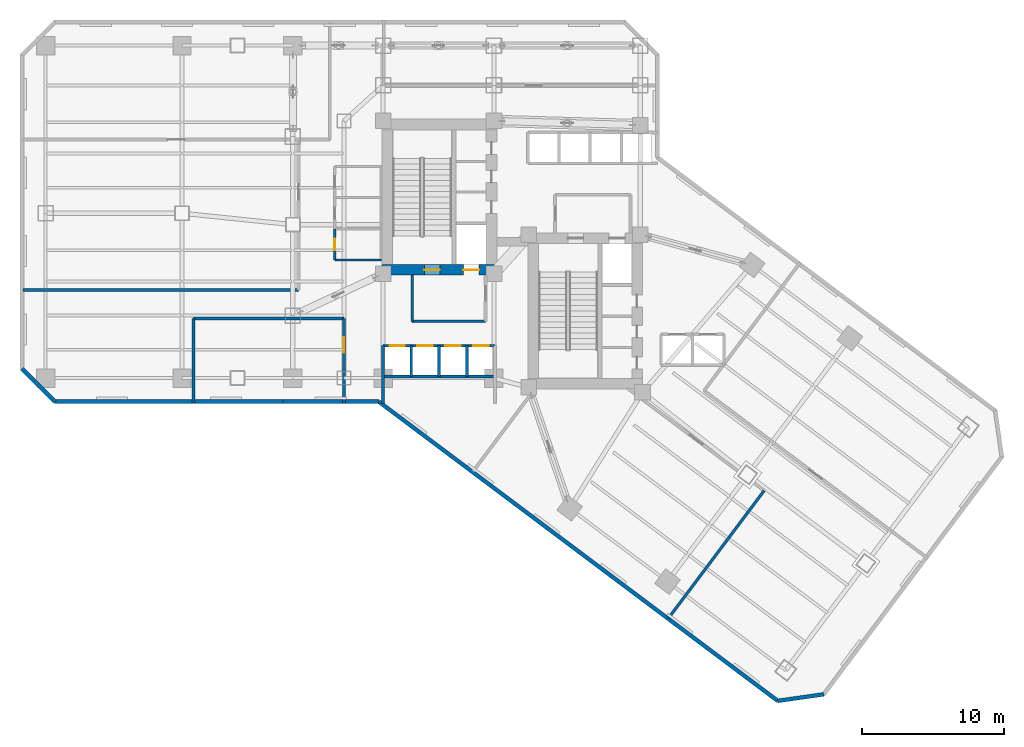
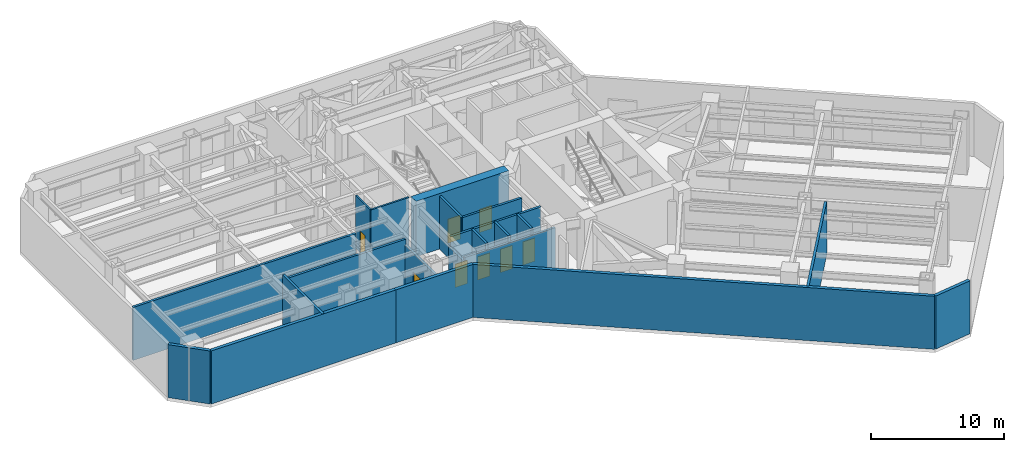
# One storey, part 9 of 16: 21 walls, 8 doors, 8 openings.
"""IFC4 building model written with IfcOpenShell, lengths in metres."""

from ifc_helpers import new_model, si_unit, direction, frame, frame_2d, origin, place, context, subcontext, project, spatial, rectangle, extrude, material, layer, layer_set, type_object, element, fill, save


model = new_model("IFC4")

# Units and contexts
model_context = context("Model", 3, precision=1e-05, world=origin(), true_north=direction((0.0, 1.0)))
body_context = subcontext(model_context, "Body", "Model", "MODEL_VIEW")
ifc_project = project(units=[si_unit("LENGTHUNIT", "METRE"), si_unit("AREAUNIT", "SQUARE_METRE"), si_unit("VOLUMEUNIT", "CUBIC_METRE"), si_unit("PLANEANGLEUNIT", "RADIAN"), si_unit("MASSUNIT", "GRAM", prefix="KILO")], contexts=[model_context])

# Site, building, storey
site_placement = place(None, origin())
site = spatial("IfcSite", under=ifc_project, at=site_placement, CompositionType="ELEMENT")
building_placement = place(site_placement, origin())
building = spatial("IfcBuilding", under=site, at=building_placement, Name="Hatsunagi Terrace Concourse", CompositionType="ELEMENT")
storey_placement = place(building_placement, frame((0.0, 0.0, 27.0)))
storey = spatial("IfcBuildingStorey", under=building, at=storey_placement, Name="L06", CompositionType="ELEMENT", Elevation=27.0)

# Wall, openings, doors
ifc_material_1 = material(Name="Concrete Fc60", Category="concrete")
ifc_layer_1 = layer(ifc_material_1, 0.75)
ifc_layer_set_1 = layer_set([ifc_layer_1], Name="CoreShearWall_Fc60_750")
wall_type_1 = type_object("IfcWallType", Name="CoreShearWall_Fc60_750", PredefinedType="SHEAR", material=ifc_layer_set_1)
wall_1_placement = place(storey_placement, frame((25.469970703125, 32.81494140625, 0.0), z_axis=(0.0, 0.0, 1.0), x_axis=(1.0, 0.0, 0.0)))
wall_1 = element("IfcWall", 1, at=wall_1_placement, inside=storey, type_object=wall_type_1, Name="Core A Shear Wall S L06", PredefinedType="SHEAR", context=body_context, shape_type="SweptSolid", body=[
    extrude(rectangle(XDim=8.080078125, YDim=0.75, at=frame_2d((4.0400390625, 0.0))), origin(), (0.0, 0.0, 1.0), 5.10009765625),
])
opening_1_placement = place(wall_1_placement, frame((2.97998046875, 0.0, 0.0)))
opening_1 = element("IfcOpeningElement", 2, at=opening_1_placement, cuts=wall_1, Name="Opening DR-110S", PredefinedType="OPENING", context=body_context, shape_type="SweptSolid", body=[
    extrude(rectangle(XDim=1.10009765625, YDim=2.199951171875, at=frame_2d((0.550048828125, 1.10009765625))), frame((0.0, 0.385009765625, 0.0), z_axis=(0.0, -1.0, 0.0), x_axis=(1.0, 0.0, 0.0)), (0.0, 0.0, 1.0), 0.77001953125),
])
opening_2_placement = place(wall_1_placement, frame((5.72998046875, 0.0, 0.0)))
opening_2 = element("IfcOpeningElement", 3, at=opening_2_placement, cuts=wall_1, Name="Opening LD-01", PredefinedType="OPENING", context=body_context, shape_type="SweptSolid", body=[
    extrude(rectangle(XDim=1.10009765625, YDim=2.14990234375, at=frame_2d((0.550048828125, 1.074951171875))), frame((0.0, 0.385009765625, 0.0), z_axis=(0.0, -1.0, 0.0), x_axis=(1.0, 0.0, 0.0)), (0.0, 0.0, 1.0), 0.77001953125),
])
ifc_material_2 = material(Name="Stainless steel", Category="steel")
door_type_1 = type_object("IfcDoorType", Name="LiftLandingDoor_LD01", OperationType="SLIDING_TO_LEFT", PredefinedType="USERDEFINED", material=ifc_material_2)
door_1_placement = place(opening_2_placement, origin())
door_1 = element("IfcDoor", 4, at=door_1_placement, inside=storey, type_object=door_type_1, Name="Lift landing door FF-01 L06", ObjectType="SLIDING_LANDING_DOOR", OperationType="SLIDING_TO_LEFT", OverallHeight=2.14990234375, OverallWidth=1.10009765625, PredefinedType="USERDEFINED", context=body_context, shape_type="SweptSolid", body=[
    extrude(rectangle(XDim=1.10009765625, YDim=2.14990234375, at=frame_2d((0.550048828125, 1.074951171875))), frame((0.0, 0.02490234375, 0.0), z_axis=(0.0, -1.0, 0.0), x_axis=(1.0, 0.0, 0.0)), (0.0, 0.0, 1.0), 0.050048828125),
])
fill(opening_2, door_1)
ifc_material_3 = material(Name="Painted steel", Category="steel")
door_type_2 = type_object("IfcDoorType", Name="StairFireDoor_EI60_1100", OperationType="NOTDEFINED", PredefinedType="DOOR", material=ifc_material_3)
door_2_placement = place(opening_1_placement, origin())
door_2 = element("IfcDoor", 5, at=door_2_placement, inside=storey, type_object=door_type_2, Name="Stair ST-A Exit Door L06", OperationType="SINGLE_SWING_LEFT", OverallHeight=2.199951171875, OverallWidth=1.10009765625, PredefinedType="DOOR", context=body_context, shape_type="SweptSolid", body=[
    extrude(rectangle(XDim=1.10009765625, YDim=2.199951171875, at=frame_2d((0.550048828125, 1.10009765625))), frame((0.0, 0.02490234375, 0.0), z_axis=(0.0, -1.0, 0.0), x_axis=(1.0, 0.0, 0.0)), (0.0, 0.0, 1.0), 0.050048828125),
])
fill(opening_1, door_2)

# Wall
ifc_material_4 = material(Name="Acoustic mineral board", Category="gypsum")
ifc_layer_2 = layer(ifc_material_4, 0.14990234375)
ifc_layer_set_2 = layer_set([ifc_layer_2], Name="PartitionWall_EI60_150")
wall_type_2 = type_object("IfcWallType", Name="PartitionWall_EI60_150", PredefinedType="PARTITIONING", material=ifc_layer_set_2)
wall_2_placement = place(storey_placement, frame((22.14990234375, 33.5, 0.0), z_axis=(0.0, 0.0, 1.0), x_axis=(1.0, 0.0, 0.0)))
element("IfcWall", 6, at=wall_2_placement, inside=storey, type_object=wall_type_2, Name="Interior Partition IW-L06-031", PredefinedType="PARTITIONING", context=body_context, shape_type="SweptSolid", body=[
    extrude(rectangle(XDim=3.300048828125, YDim=0.14990234375, at=frame_2d((1.64990234375, 0.0))), origin(), (0.0, 0.0, 1.0), 4.8798828125),
])

# Wall, opening, door
wall_3_placement = place(storey_placement, frame((22.14990234375, 33.5, 0.0), z_axis=(0.0, 0.0, 1.0), x_axis=(0.0, 1.0, 0.0)))
wall_3 = element("IfcWall", 7, at=wall_3_placement, inside=storey, type_object=wall_type_2, Name="Interior Partition IW-L06-036", PredefinedType="PARTITIONING", context=body_context, shape_type="SweptSolid", body=[
    extrude(rectangle(XDim=2.199951171875, YDim=0.14990234375, at=frame_2d((1.10009765625, 0.0))), origin(), (0.0, 0.0, 1.0), 4.8798828125),
])
opening_3_placement = place(wall_3_placement, frame((0.699951171875, 0.0, 0.0)))
opening_3 = element("IfcOpeningElement", 8, at=opening_3_placement, cuts=wall_3, Name="Opening DR-080", PredefinedType="OPENING", context=body_context, shape_type="SweptSolid", body=[
    extrude(rectangle(XDim=0.800048828125, YDim=2.06005859375, at=frame_2d((0.39990234375, 1.030029296875))), frame((0.0, 0.0849609375, 0.0), z_axis=(0.0, -1.0, 0.0), x_axis=(1.0, 0.0, 0.0)), (0.0, 0.0, 1.0), 0.169921875),
])
ifc_material_5 = material(Name="Hardwood timber", Category="wood")
door_type_3 = type_object("IfcDoorType", Name="BathroomDoor_800", OperationType="NOTDEFINED", PredefinedType="DOOR", material=ifc_material_5)
door_3_placement = place(opening_3_placement, origin())
door_3 = element("IfcDoor", 9, at=door_3_placement, inside=storey, type_object=door_type_3, Name="Accessible WC Door L06", OperationType="SINGLE_SWING_RIGHT", OverallHeight=2.06005859375, OverallWidth=0.800048828125, PredefinedType="DOOR", context=body_context, shape_type="SweptSolid", body=[
    extrude(rectangle(XDim=0.800048828125, YDim=2.06005859375, at=frame_2d((0.39990234375, 1.030029296875))), frame((0.0, 0.02490234375, 0.0), z_axis=(0.0, -1.0, 0.0), x_axis=(1.0, 0.0, 0.0)), (0.0, 0.0, 1.0), 0.050048828125),
])
fill(opening_3, door_3)

# Walls
ifc_material_6 = material(Name="Acoustic mineral board", Category="gypsum")
ifc_layer_3 = layer(ifc_material_6, 0.199951171875)
ifc_layer_set_3 = layer_set([ifc_layer_3], Name="ShaftWall_EI120_200")
wall_type_3 = type_object("IfcWallType", Name="ShaftWall_EI120_200", PredefinedType="STANDARD", material=ifc_layer_set_3)
wall_4_placement = place(storey_placement, frame((27.60009765625, 29.199951171875, 0.0), z_axis=(0.0, 0.0, 1.0), x_axis=(1.0, 0.0, 0.0)))
element("IfcWall", 10, at=wall_4_placement, inside=storey, type_object=wall_type_3, Name="Interior Partition IW-L06-007", PredefinedType="STANDARD", context=body_context, shape_type="SweptSolid", body=[
    extrude(rectangle(XDim=5.14990234375, YDim=0.199951171875, at=frame_2d((2.574951171875, 0.0))), origin(), (0.0, 0.0, 1.0), 4.8798828125),
])
wall_5_placement = place(storey_placement, frame((27.60009765625, 29.199951171875, 0.0), z_axis=(0.0, 0.0, 1.0), x_axis=(0.0, 1.0, 0.0)))
element("IfcWall", 11, at=wall_5_placement, inside=storey, type_object=wall_type_3, Name="Interior Partition IW-L06-008", PredefinedType="STANDARD", context=body_context, shape_type="SweptSolid", body=[
    extrude(rectangle(XDim=3.239990234375, YDim=0.199951171875, at=frame_2d((1.6201171875, 0.0))), origin(), (0.0, 0.0, 1.0), 4.8798828125),
])
wall_6_placement = place(storey_placement, frame((25.550048828125, 23.39990234375, 0.0), z_axis=(0.0, 0.0, 1.0), x_axis=(0.0, 1.0, 0.0)))
element("IfcWall", 12, at=wall_6_placement, inside=storey, type_object=wall_type_3, Name="Interior Partition IW-L06-013", PredefinedType="STANDARD", context=body_context, shape_type="SweptSolid", body=[
    extrude(rectangle(XDim=4.080078125, YDim=0.199951171875, at=frame_2d((2.0400390625, 0.0))), origin(), (0.0, 0.0, 1.0), 3.97509765625),
])
wall_7_placement = place(storey_placement, frame((25.550048828125, 25.320068359375, 0.0), z_axis=(0.0, 0.0, 1.0), x_axis=(1.0, 0.0, 0.0)))
element("IfcWall", 13, at=wall_7_placement, inside=storey, type_object=wall_type_3, Name="Interior Partition IW-L06-015", PredefinedType="STANDARD", context=body_context, shape_type="SweptSolid", body=[
    extrude(rectangle(XDim=7.8798828125, YDim=0.199951171875, at=frame_2d((3.93994140625, 0.0))), origin(), (0.0, 0.0, 1.0), 4.27490234375),
])
for number, where, z_axis, x_axis, name in (
    (14, (27.530029296875, 25.320068359375, 0.0), (0.0, 0.0, 1.0), (0.0, 1.0, 0.0), "Interior Partition IW-L06-016"),
    (15, (29.489990234375, 25.320068359375, 0.0), (0.0, 0.0, 1.0), (0.0, 1.0, 0.0), "Interior Partition IW-L06-017"),
    (16, (31.449951171875, 25.320068359375, 0.0), (0.0, 0.0, 1.0), (0.0, 1.0, 0.0), "Interior Partition IW-L06-018"),
):
    element("IfcWall", number, at=place(storey_placement, frame(where, z_axis=z_axis, x_axis=x_axis)), inside=storey, type_object=wall_type_3, Name=name, PredefinedType="STANDARD", context=body_context, shape_type="SweptSolid", body=[
        extrude(rectangle(XDim=2.159912109375, YDim=0.199951171875, at=frame_2d((1.080078125, 0.0))), origin(), (0.0, 0.0, 1.0), 4.8798828125),
    ])

# Wall, openings, doors
wall_8_placement = place(storey_placement, frame((25.550048828125, 27.47998046875, 0.0), z_axis=(0.0, 0.0, 1.0), x_axis=(1.0, 0.0, 0.0)))
wall_8 = element("IfcWall", 17, at=wall_8_placement, inside=storey, type_object=wall_type_3, Name="Interior Partition IW-L06-019", PredefinedType="STANDARD", context=body_context, shape_type="SweptSolid", body=[
    extrude(rectangle(XDim=7.8798828125, YDim=0.199951171875, at=frame_2d((3.93994140625, 0.0))), origin(), (0.0, 0.0, 1.0), 4.8798828125),
])
opening_4_placement = place(wall_8_placement, frame((0.4599609375, 0.0, 0.0)))
opening_4 = element("IfcOpeningElement", 18, at=opening_4_placement, cuts=wall_8, Name="Opening LD-03", PredefinedType="OPENING", context=body_context, shape_type="SweptSolid", body=[
    extrude(rectangle(XDim=1.080078125, YDim=2.14990234375, at=frame_2d((0.5400390625, 1.074951171875))), frame((0.0, 0.10986328125, 0.0), z_axis=(0.0, -1.0, 0.0), x_axis=(1.0, 0.0, 0.0)), (0.0, 0.0, 1.0), 0.219970703125),
])
opening_5_placement = place(wall_8_placement, frame((2.419921875, 0.0, 0.0)))
opening_5 = element("IfcOpeningElement", 19, at=opening_5_placement, cuts=wall_8, Name="Opening LD-03", PredefinedType="OPENING", context=body_context, shape_type="SweptSolid", body=[
    extrude(rectangle(XDim=1.080078125, YDim=2.14990234375, at=frame_2d((0.5400390625, 1.074951171875))), frame((0.0, 0.10986328125, 0.0), z_axis=(0.0, -1.0, 0.0), x_axis=(1.0, 0.0, 0.0)), (0.0, 0.0, 1.0), 0.219970703125),
])
opening_6_placement = place(wall_8_placement, frame((4.3798828125, 0.0, 0.0)))
opening_6 = element("IfcOpeningElement", 20, at=opening_6_placement, cuts=wall_8, Name="Opening LD-03", PredefinedType="OPENING", context=body_context, shape_type="SweptSolid", body=[
    extrude(rectangle(XDim=1.080078125, YDim=2.14990234375, at=frame_2d((0.5400390625, 1.074951171875))), frame((0.0, 0.10986328125, 0.0), z_axis=(0.0, -1.0, 0.0), x_axis=(1.0, 0.0, 0.0)), (0.0, 0.0, 1.0), 0.219970703125),
])
opening_7_placement = place(wall_8_placement, frame((6.340087890625, 0.0, 0.0)))
opening_7 = element("IfcOpeningElement", 21, at=opening_7_placement, cuts=wall_8, Name="Opening LD-03", PredefinedType="OPENING", context=body_context, shape_type="SweptSolid", body=[
    extrude(rectangle(XDim=1.080078125, YDim=2.14990234375, at=frame_2d((0.5400390625, 1.074951171875))), frame((0.0, 0.10986328125, 0.0), z_axis=(0.0, -1.0, 0.0), x_axis=(1.0, 0.0, 0.0)), (0.0, 0.0, 1.0), 0.219970703125),
])
ifc_material_7 = material(Name="Stainless steel", Category="steel")
door_type_4 = type_object("IfcDoorType", Name="LiftLandingDoor_LD03", OperationType="SLIDING_TO_LEFT", PredefinedType="USERDEFINED", material=ifc_material_7)
door_4_placement = place(opening_4_placement, origin())
door_4 = element("IfcDoor", 22, at=door_4_placement, inside=storey, type_object=door_type_4, Name="Lift landing door PL-01 L06", ObjectType="SLIDING_LANDING_DOOR", OperationType="SLIDING_TO_LEFT", OverallHeight=2.14990234375, OverallWidth=1.080078125, PredefinedType="USERDEFINED", context=body_context, shape_type="SweptSolid", body=[
    extrude(rectangle(XDim=1.080078125, YDim=2.14990234375, at=frame_2d((0.5400390625, 1.074951171875))), frame((0.0, 0.02490234375, 0.0), z_axis=(0.0, -1.0, 0.0), x_axis=(1.0, 0.0, 0.0)), (0.0, 0.0, 1.0), 0.050048828125),
])
fill(opening_4, door_4)
door_5_placement = place(opening_5_placement, origin())
door_5 = element("IfcDoor", 23, at=door_5_placement, inside=storey, type_object=door_type_4, Name="Lift landing door PL-02 L06", ObjectType="SLIDING_LANDING_DOOR", OperationType="SLIDING_TO_LEFT", OverallHeight=2.14990234375, OverallWidth=1.080078125, PredefinedType="USERDEFINED", context=body_context, shape_type="SweptSolid", body=[
    extrude(rectangle(XDim=1.080078125, YDim=2.14990234375, at=frame_2d((0.5400390625, 1.074951171875))), frame((0.0, 0.02490234375, 0.0), z_axis=(0.0, -1.0, 0.0), x_axis=(1.0, 0.0, 0.0)), (0.0, 0.0, 1.0), 0.050048828125),
])
fill(opening_5, door_5)
door_6_placement = place(opening_6_placement, origin())
door_6 = element("IfcDoor", 24, at=door_6_placement, inside=storey, type_object=door_type_4, Name="Lift landing door PL-03 L06", ObjectType="SLIDING_LANDING_DOOR", OperationType="SLIDING_TO_LEFT", OverallHeight=2.14990234375, OverallWidth=1.080078125, PredefinedType="USERDEFINED", context=body_context, shape_type="SweptSolid", body=[
    extrude(rectangle(XDim=1.080078125, YDim=2.14990234375, at=frame_2d((0.5400390625, 1.074951171875))), frame((0.0, 0.02490234375, 0.0), z_axis=(0.0, -1.0, 0.0), x_axis=(1.0, 0.0, 0.0)), (0.0, 0.0, 1.0), 0.050048828125),
])
fill(opening_6, door_6)
door_7_placement = place(opening_7_placement, origin())
door_7 = element("IfcDoor", 25, at=door_7_placement, inside=storey, type_object=door_type_4, Name="Lift landing door PL-04 L06", ObjectType="SLIDING_LANDING_DOOR", OperationType="SLIDING_TO_LEFT", OverallHeight=2.14990234375, OverallWidth=1.080078125, PredefinedType="USERDEFINED", context=body_context, shape_type="SweptSolid", body=[
    extrude(rectangle(XDim=1.080078125, YDim=2.14990234375, at=frame_2d((0.5400390625, 1.074951171875))), frame((0.0, 0.02490234375, 0.0), z_axis=(0.0, -1.0, 0.0), x_axis=(1.0, 0.0, 0.0)), (0.0, 0.0, 1.0), 0.050048828125),
])
fill(opening_7, door_7)

# Walls
wall_9_placement = place(storey_placement, frame((12.199951171875, 29.39990234375, 0.0), z_axis=(0.0, 0.0, 1.0), x_axis=(1.0, 0.0, 0.0)))
element("IfcWall", 26, at=wall_9_placement, inside=storey, type_object=wall_type_3, Name="Interior Partition IW-L06-039", PredefinedType="STANDARD", context=body_context, shape_type="SweptSolid", body=[
    extrude(rectangle(XDim=10.60009765625, YDim=0.199951171875, at=frame_2d((5.300048828125, 0.0))), origin(), (0.0, 0.0, 1.0), 4.47509765625),
])
wall_10_placement = place(storey_placement, frame((12.199951171875, 23.43994140625, 0.0), z_axis=(0.0, 0.0, 1.0), x_axis=(0.0, 1.0, 0.0)))
element("IfcWall", 27, at=wall_10_placement, inside=storey, type_object=wall_type_3, Name="Interior Partition IW-L06-040", PredefinedType="STANDARD", context=body_context, shape_type="SweptSolid", body=[
    extrude(rectangle(XDim=5.9599609375, YDim=0.199951171875, at=frame_2d((2.97998046875, 0.0))), origin(), (0.0, 0.0, 1.0), 4.8798828125),
])

# Wall, opening, door
wall_11_placement = place(storey_placement, frame((22.800048828125, 23.43994140625, 0.0), z_axis=(0.0, 0.0, 1.0), x_axis=(0.0, 1.0, 0.0)))
wall_11 = element("IfcWall", 28, at=wall_11_placement, inside=storey, type_object=wall_type_3, Name="Interior Partition IW-L06-041", PredefinedType="STANDARD", context=body_context, shape_type="SweptSolid", body=[
    extrude(rectangle(XDim=5.9599609375, YDim=0.199951171875, at=frame_2d((2.97998046875, 0.0))), origin(), (0.0, 0.0, 1.0), 3.97509765625),
])
opening_8_placement = place(wall_11_placement, frame((3.537109375, 0.0, 0.0)))
opening_8 = element("IfcOpeningElement", 29, at=opening_8_placement, cuts=wall_11, Name="Opening DR-110F", PredefinedType="OPENING", context=body_context, shape_type="SweptSolid", body=[
    extrude(rectangle(XDim=1.10009765625, YDim=2.239990234375, at=frame_2d((0.550048828125, 1.1201171875))), frame((0.0, 0.10986328125, 0.0), z_axis=(0.0, -1.0, 0.0), x_axis=(1.0, 0.0, 0.0)), (0.0, 0.0, 1.0), 0.219970703125),
])
ifc_material_8 = material(Name="Painted steel", Category="steel")
door_type_5 = type_object("IfcDoorType", Name="FireDoor_EI60_1100", OperationType="NOTDEFINED", PredefinedType="DOOR", material=ifc_material_8)
door_8_placement = place(opening_8_placement, origin())
door_8 = element("IfcDoor", 30, at=door_8_placement, inside=storey, type_object=door_type_5, Name="Refuge Area L06-REF1 Door", OperationType="SINGLE_SWING_LEFT", OverallHeight=2.239990234375, OverallWidth=1.10009765625, PredefinedType="DOOR", context=body_context, shape_type="SweptSolid", body=[
    extrude(rectangle(XDim=1.10009765625, YDim=2.239990234375, at=frame_2d((0.550048828125, 1.1201171875))), frame((0.0, 0.02490234375, 0.0), z_axis=(0.0, -1.0, 0.0), x_axis=(1.0, 0.0, 0.0)), (0.0, 0.0, 1.0), 0.050048828125),
])
fill(opening_8, door_8)

# Walls
wall_12_placement = place(storey_placement, frame((45.639892578125, 8.320068359375, 0.0), z_axis=(0.0, 0.0, 1.0), x_axis=(0.60001395068, 0.7999895368, 0.0)))
element("IfcWall", 31, at=wall_12_placement, inside=storey, type_object=wall_type_3, Name="Interior Partition IW-L06-050", PredefinedType="STANDARD", context=body_context, shape_type="SweptSolid", body=[
    extrude(rectangle(XDim=11.2001953125, YDim=0.199951171875, at=frame_2d((5.60009765625, 0.0))), origin(), (0.0, 0.0, 1.0), 4.8798828125),
])
wall_13_placement = place(storey_placement, frame((0.199951171875, 31.39990234375, 0.0), z_axis=(0.0, 0.0, 1.0), x_axis=(1.0, 0.0, 0.0)))
element("IfcWall", 32, at=wall_13_placement, inside=storey, type_object=wall_type_3, Name="Interior Partition IW-L06-051", PredefinedType="STANDARD", context=body_context, shape_type="SweptSolid", body=[
    extrude(rectangle(XDim=19.400146484375, YDim=0.199951171875, at=frame_2d((9.7001953125, 0.0))), origin(), (0.0, 0.0, 1.0), 4.8798828125),
])
ifc_material_9 = material(Name="Autoclaved Lightweight Concrete and Terracotta Cladding", Category="masonry")
ifc_layer_4 = layer(ifc_material_9, 0.280029296875)
ifc_layer_set_4 = layer_set([ifc_layer_4], Name="TerracottaSpandrelWall_280")
wall_type_4 = type_object("IfcWallType", Name="TerracottaSpandrelWall_280", PredefinedType="STANDARD", material=ifc_layer_set_4)
wall_14_placement = place(storey_placement, frame((56.56298828125, 2.949951171875, 0.0), z_axis=(0.0, 0.0, 1.0), x_axis=(-0.989977778067, -0.141223223777, 0.0)))
element("IfcWall", 33, at=wall_14_placement, inside=storey, type_object=wall_type_4, Name="Exterior Spandrel Wall EW-L06-04", PredefinedType="STANDARD", context=body_context, shape_type="SweptSolid", body=[
    extrude(rectangle(XDim=3.27783203125, YDim=0.280029296875, at=frame_2d((1.638916015625, 0.0))), origin(), (0.0, 0.0, 1.0), 4.8798828125),
])
wall_15_placement = place(storey_placement, frame((53.318115234375, 2.487060546875, 0.0), z_axis=(0.0, 0.0, 1.0), x_axis=(-0.800004174678, 0.599994433723, 0.0)))
element("IfcWall", 34, at=wall_15_placement, inside=storey, type_object=wall_type_4, Name="Exterior Spandrel Wall EW-L06-05", PredefinedType="STANDARD", context=body_context, shape_type="SweptSolid", body=[
    extrude(rectangle(XDim=35.088623046875, YDim=0.280029296875, at=frame_2d((17.54443359375, 0.0))), origin(), (0.0, 0.0, 1.0), 4.8798828125),
])
wall_16_placement = place(storey_placement, frame((25.2470703125, 23.5400390625, 0.0), z_axis=(0.0, 0.0, 1.0), x_axis=(-1.0, 0.0, 0.0)))
element("IfcWall", 35, at=wall_16_placement, inside=storey, type_object=wall_type_4, Name="Exterior Spandrel Wall EW-L06-06", PredefinedType="STANDARD", context=body_context, shape_type="SweptSolid", body=[
    extrude(rectangle(XDim=6.7470703125, YDim=0.280029296875, at=frame_2d((3.37353515625, 0.0))), origin(), (0.0, 0.0, 1.0), 4.8798828125),
])
wall_17_placement = place(storey_placement, frame((18.5, 23.5400390625, 0.0), z_axis=(0.0, 0.0, 1.0), x_axis=(-1.0, 0.0, 0.0)))
element("IfcWall", 36, at=wall_17_placement, inside=storey, type_object=wall_type_4, Name="Exterior Spandrel Wall EW-L06-07", PredefinedType="STANDARD", context=body_context, shape_type="SweptSolid", body=[
    extrude(rectangle(XDim=16.0419921875, YDim=0.280029296875, at=frame_2d((8.02099609375, 0.0))), origin(), (0.0, 0.0, 1.0), 4.8798828125),
])
wall_18_placement = place(storey_placement, frame((2.4580078125, 23.5400390625, 0.0), z_axis=(0.0, 0.0, 1.0), x_axis=(-0.707144017911, 0.707069542501, 0.0)))
element("IfcWall", 37, at=wall_18_placement, inside=storey, type_object=wall_type_4, Name="Exterior Spandrel Wall EW-L06-08", PredefinedType="STANDARD", context=body_context, shape_type="SweptSolid", body=[
    extrude(rectangle(XDim=3.278076171875, YDim=0.280029296875, at=frame_2d((1.63916015625, 0.0))), origin(), (0.0, 0.0, 1.0), 4.8798828125),
])

save(model, "model.ifc")
